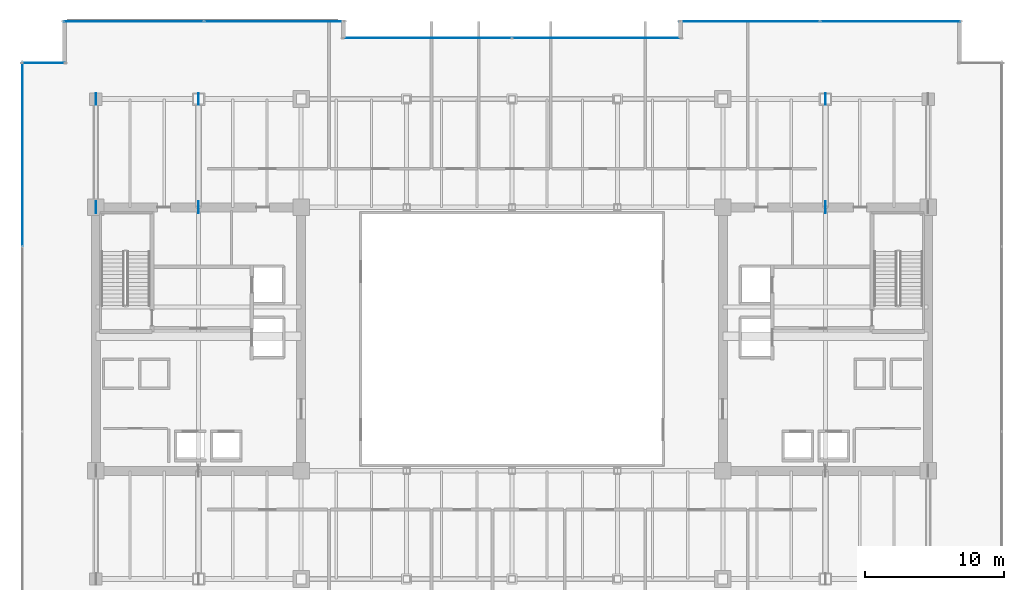
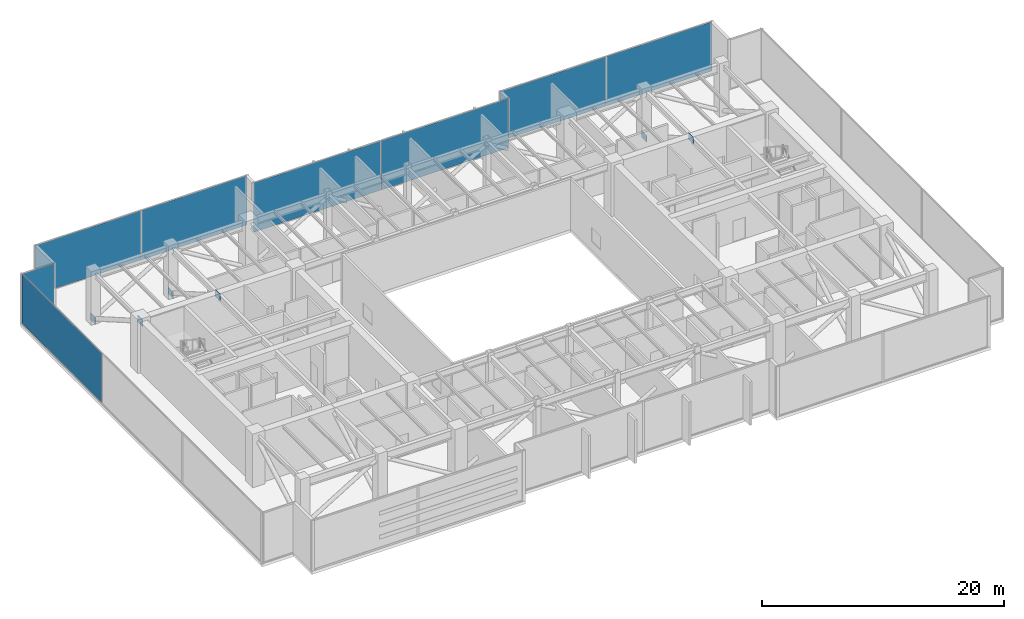
# One storey, part 26 of 34: 14 plates, 5 elements without a shape of their own.
"""IFC4 building model written with IfcOpenShell, lengths in metres."""

from ifc_helpers import new_model, si_unit, direction, frame, origin, origin_2d, place, context, subcontext, project, spatial, rectangle, extrude, source, transform, mapped, material, layer, layer_set, type_object, type_shapes, element, aggregate, save


model = new_model("IFC4")

# Units and contexts
model_context = context("Model", 3, precision=1e-05, world=origin(), true_north=direction((0.0, 1.0)))
body_context = subcontext(model_context, "Body", "Model", "MODEL_VIEW")
ifc_project = project(units=[si_unit("LENGTHUNIT", "METRE"), si_unit("AREAUNIT", "SQUARE_METRE"), si_unit("VOLUMEUNIT", "CUBIC_METRE"), si_unit("PLANEANGLEUNIT", "RADIAN"), si_unit("MASSUNIT", "GRAM", prefix="KILO")], contexts=[model_context])

# Site, building, storey
site_placement = place(None, origin())
site = spatial("IfcSite", under=ifc_project, at=site_placement, CompositionType="ELEMENT")
building_placement = place(site_placement, origin())
building = spatial("IfcBuilding", under=site, at=building_placement, Name="Haelvirn Gate Laboratories", CompositionType="ELEMENT")
storey_placement = place(building_placement, frame((0.0, 0.0, 191.199951171875)))
storey = spatial("IfcBuildingStorey", under=building, at=storey_placement, Name="L46", CompositionType="ELEMENT", Elevation=191.199951171875)

# Plates
ifc_material_1 = material(Name="Steel SM420", Category="steel")
ifc_layer_1 = layer(ifc_material_1, 0.030029296875, Name="PL-NODE-ON2")
ifc_layer_set_1 = layer_set([ifc_layer_1], Name="Steel SM420")
plate_type_1 = type_object("IfcPlateType", Name="PL-NODE-ON2", PredefinedType="USERDEFINED", material=ifc_layer_set_1)
shared_shape_1 = source(origin(), body_context, "Body", "SweptSolid", [
    extrude(rectangle(XDim=0.85009765625, YDim=0.030029296875, at=origin_2d()), origin(), (0.0, 0.0, 1.0), 0.699951171875),
])
type_shapes(plate_type_1, [shared_shape_1])
for number, where, z_axis, x_axis, name in (
    (1, (7.39990234375, 33.800048828125, 4.39990234375), (0.0, 0.0, 1.0), (0.0, 1.0, 0.0), "L46 Steel Truss Node Plate ON2"),
    (2, (7.39990234375, 41.60009765625, -0.10009765625), (0.0, 0.0, 1.0), (0.0, 1.0, 0.0), "L46 Steel Truss Node Plate ON2"),
    (3, (14.800048828125, 33.800048828125, 4.39990234375), (0.0, 0.0, 1.0), (0.0, 1.0, 0.0), "L46 Steel Truss Node Plate ON2"),
    (4, (14.800048828125, 41.60009765625, -0.10009765625), (0.0, 0.0, 1.0), (0.0, 1.0, 0.0), "L46 Steel Truss Node Plate ON2"),
    (5, (60.0, 33.800048828125, 4.39990234375), (0.0, 0.0, 1.0), (0.0, 1.0, 0.0), "L46 Steel Truss Node Plate ON2"),
    (6, (60.0, 41.60009765625, -0.10009765625), (0.0, 0.0, 1.0), (0.0, 1.0, 0.0), "L46 Steel Truss Node Plate ON2"),
):
    element("IfcPlate", number, at=place(storey_placement, frame(where, z_axis=z_axis, x_axis=x_axis)), inside=storey, type_object=plate_type_1, Name=name, ObjectType="GUSSET_PLATE", PredefinedType="USERDEFINED", context=body_context, shape_type="MappedRepresentation", body=[
        mapped(shared_shape_1, transform((0.0, 0.0, 0.0), scale=1.0)),
    ])

# Curtain wall, plates
ifc_material_2 = material(Name="Anodised bronze unitised aluminium & triple low-E glass", Category="aluminium")
ifc_layer_2 = layer(ifc_material_2, 0.179931640625, Name="CW-SYS-3")
ifc_layer_set_2 = layer_set([ifc_layer_2], Name="Anodised bronze unitised aluminium & triple low-E glass")
curtain_wall_type_1 = type_object("IfcCurtainWallType", Name="CW-SYS-3", PredefinedType="NOTDEFINED", material=ifc_layer_set_2)
curtain_wall_1_placement = place(storey_placement, origin())
curtain_wall_1 = element("IfcCurtainWall", 7, at=curtain_wall_1_placement, inside=storey, type_object=curtain_wall_type_1, Name="L46 Unitised Curtain Wall CW-L46-P0-E10-1", PredefinedType="NOTDEFINED")
ifc_material_3 = material(Name="High-selectivity bronze triple IGU 40 mm", Category="glass")
ifc_layer_3 = layer(ifc_material_3, 0.0400390625, Name="CWP-IGU-40")
ifc_layer_set_3 = layer_set([ifc_layer_3], Name="High-selectivity bronze triple IGU 40 mm")
plate_type_2 = type_object("IfcPlateType", Name="CWP-IGU-40", PredefinedType="CURTAIN_PANEL", material=ifc_layer_set_3)
shared_shape_2 = source(origin(), body_context, "Body", "SweptSolid", [
    extrude(rectangle(XDim=10.08740234375, YDim=0.0400390625, at=origin_2d()), origin(), (0.0, 0.0, 1.0), 4.969970703125),
])
plate_1_placement = place(storey_placement, frame((54.518798828125, 47.199951171875, 0.06494140625), z_axis=(0.0, 0.0, 1.0), x_axis=(1.0, 0.0, 0.0)))
plate_1 = element("IfcPlate", 8, at=plate_1_placement, type_object=plate_type_2, Name="CW3 panel 1.1", PredefinedType="CURTAIN_PANEL", context=body_context, shape_type="MappedRepresentation", body=[
    mapped(shared_shape_2, transform((0.0, 0.0, 0.0), scale=1.0)),
])
plate_2_placement = place(storey_placement, frame((64.68115234375, 47.199951171875, 0.06494140625), z_axis=(0.0, 0.0, 1.0), x_axis=(1.0, 0.0, 0.0)))
plate_2 = element("IfcPlate", 9, at=plate_2_placement, type_object=plate_type_2, Name="CW3 panel 2.1", PredefinedType="CURTAIN_PANEL", context=body_context, shape_type="MappedRepresentation", body=[
    mapped(shared_shape_2, transform((0.0, 0.0, 0.0), scale=1.0)),
])
aggregate(curtain_wall_1, [plate_1, plate_2])

curtain_wall_2_placement = place(storey_placement, origin())
curtain_wall_2 = element("IfcCurtainWall", 10, at=curtain_wall_2_placement, inside=storey, type_object=curtain_wall_type_1, Name="L46 Unitised Curtain Wall CW-L46-P0-E14-1", PredefinedType="NOTDEFINED")
plate_3_placement = place(storey_placement, frame((10.11865234375, 47.199951171875, 0.06494140625), z_axis=(0.0, 0.0, 1.0), x_axis=(1.0, 0.0, 0.0)))
plate_3 = element("IfcPlate", 11, at=plate_3_placement, type_object=plate_type_2, Name="CW3 panel 1.1", PredefinedType="CURTAIN_PANEL", context=body_context, shape_type="MappedRepresentation", body=[
    mapped(shared_shape_2, transform((0.0, 0.0, 0.0), scale=1.0)),
])
plate_4_placement = place(storey_placement, frame((20.28125, 47.199951171875, 0.06494140625), z_axis=(0.0, 0.0, 1.0), x_axis=(1.0, 0.0, 0.0)))
plate_4 = element("IfcPlate", 12, at=plate_4_placement, type_object=plate_type_2, Name="CW3 panel 2.1", PredefinedType="CURTAIN_PANEL", context=body_context, shape_type="MappedRepresentation", body=[
    mapped(shared_shape_2, transform((0.0, 0.0, 0.0), scale=1.0)),
])
aggregate(curtain_wall_2, [plate_3, plate_4])

curtain_wall_3_placement = place(storey_placement, origin())
curtain_wall_3 = element("IfcCurtainWall", 13, at=curtain_wall_3_placement, inside=storey, type_object=curtain_wall_type_1, Name="L46 Unitised Curtain Wall CW-L46-P0-E12-1", PredefinedType="NOTDEFINED")
shared_shape_3 = source(origin(), body_context, "Body", "SweptSolid", [
    extrude(rectangle(XDim=12.12744140625, YDim=0.0400390625, at=origin_2d()), origin(), (0.0, 0.0, 1.0), 4.969970703125),
])
plate_5_placement = place(storey_placement, frame((31.298828125, 46.0, 0.06494140625), z_axis=(0.0, 0.0, 1.0), x_axis=(1.0, 0.0, 0.0)))
plate_5 = element("IfcPlate", 14, at=plate_5_placement, type_object=plate_type_2, Name="CW3 panel 1.1", PredefinedType="CURTAIN_PANEL", context=body_context, shape_type="MappedRepresentation", body=[
    mapped(shared_shape_3, transform((0.0, 0.0, 0.0), scale=1.0)),
])
plate_6_placement = place(storey_placement, frame((43.501220703125, 46.0, 0.06494140625), z_axis=(0.0, 0.0, 1.0), x_axis=(1.0, 0.0, 0.0)))
plate_6 = element("IfcPlate", 15, at=plate_6_placement, type_object=plate_type_2, Name="CW3 panel 2.1", PredefinedType="CURTAIN_PANEL", context=body_context, shape_type="MappedRepresentation", body=[
    mapped(shared_shape_3, transform((0.0, 0.0, 0.0), scale=1.0)),
])
aggregate(curtain_wall_3, [plate_5, plate_6])

# Curtain wall, plate
ifc_layer_4 = layer(ifc_material_2, 0.181884765625, Name="CW-SYS-5")
ifc_layer_set_4 = layer_set([ifc_layer_4], Name="Anodised bronze unitised aluminium & triple low-E glass")
curtain_wall_type_2 = type_object("IfcCurtainWallType", Name="CW-SYS-5", PredefinedType="NOTDEFINED", material=ifc_layer_set_4)
curtain_wall_4_placement = place(storey_placement, origin())
curtain_wall_4 = element("IfcCurtainWall", 16, at=curtain_wall_4_placement, inside=storey, type_object=curtain_wall_type_2, Name="L46 Unitised Curtain Wall CW-L46-P0-E16-1", PredefinedType="NOTDEFINED")
ifc_material_4 = material(Name="Clear low-iron notched-corner triple IGU 42 mm", Category="glass")
ifc_layer_5 = layer(ifc_material_4, 0.0419921875, Name="CWP-NTC-42")
ifc_layer_set_5 = layer_set([ifc_layer_5], Name="Clear low-iron notched-corner triple IGU 42 mm")
plate_type_3 = type_object("IfcPlateType", Name="CWP-NTC-42", PredefinedType="CURTAIN_PANEL", material=ifc_layer_set_5)
shared_shape_4 = source(origin(), body_context, "Body", "SweptSolid", [
    extrude(rectangle(XDim=3.080078125, YDim=0.0419921875, at=origin_2d()), origin(), (0.0, 0.0, 1.0), 4.969970703125),
])
type_shapes(plate_type_3, [shared_shape_4])
plate_7_placement = place(storey_placement, frame((3.6201171875, 44.199951171875, 0.06494140625), z_axis=(0.0, 0.0, 1.0), x_axis=(1.0, 0.0, 0.0)))
plate_7 = element("IfcPlate", 17, at=plate_7_placement, type_object=plate_type_3, Name="CW5 panel 1.1", PredefinedType="CURTAIN_PANEL", context=body_context, shape_type="MappedRepresentation", body=[
    mapped(shared_shape_4, transform((0.0, 0.0, 0.0), scale=1.0)),
])
aggregate(curtain_wall_4, [plate_7])

curtain_wall_5_placement = place(storey_placement, origin())
curtain_wall_5 = element("IfcCurtainWall", 18, at=curtain_wall_5_placement, inside=storey, type_object=curtain_wall_type_1, Name="L46 Unitised Curtain Wall CW-L46-P0-E17", PredefinedType="NOTDEFINED")
shared_shape_5 = source(origin(), body_context, "Body", "SweptSolid", [
    extrude(rectangle(XDim=13.220947265625, YDim=0.0400390625, at=origin_2d()), origin(), (0.0, 0.0, 1.0), 4.969970703125),
])
type_shapes(plate_type_2, [shared_shape_2, shared_shape_3, shared_shape_5])
plate_8_placement = place(storey_placement, frame((2.10009765625, 37.614501953125, 0.06494140625), z_axis=(0.0, 0.0, 1.0), x_axis=(0.0, -1.0, 0.0)))
plate_8 = element("IfcPlate", 19, at=plate_8_placement, type_object=plate_type_2, Name="CW3 panel 1.1", PredefinedType="CURTAIN_PANEL", context=body_context, shape_type="MappedRepresentation", body=[
    mapped(shared_shape_5, transform((0.0, 0.0, 0.0), scale=1.0)),
])
aggregate(curtain_wall_5, [plate_8])

save(model, "model.ifc")
